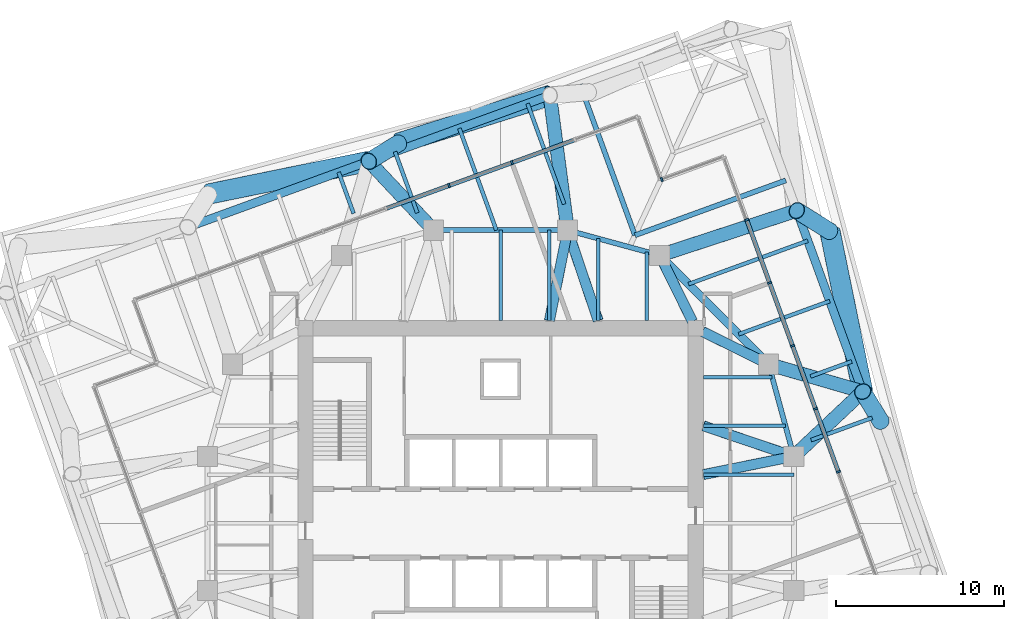
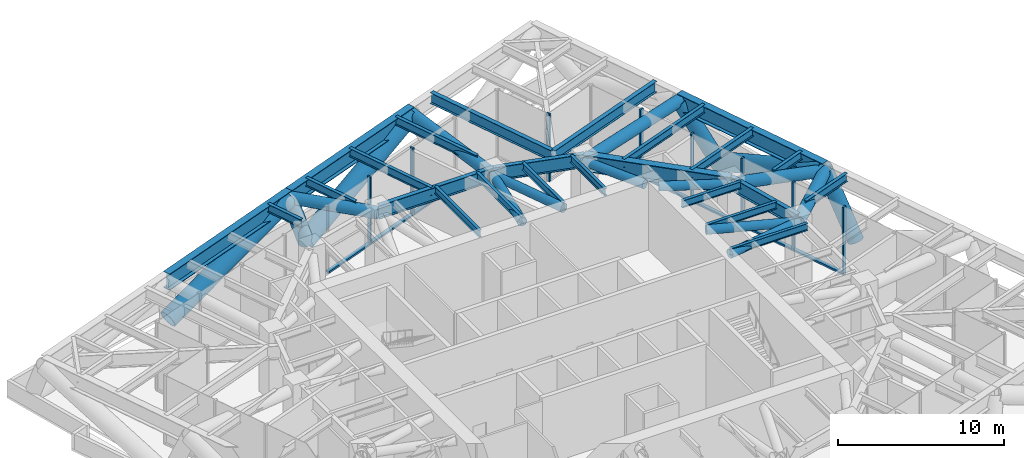
# One storey, part 5 of 12: 32 members, 24 beams, 3 elements without a shape of their own.
"""IFC4 building model written with IfcOpenShell, lengths in metres."""

from ifc_helpers import new_model, si_unit, direction, frame, origin, origin_2d, place, context, subcontext, project, spatial, rectangle, hollow_circle, i_section, extrude, material, material_profile, profile_set, type_object, element, aggregate, save


model = new_model("IFC4")

# Units and contexts
model_context = context("Model", 3, precision=1e-05, world=origin(), true_north=direction((0.0, 1.0)))
body_context = subcontext(model_context, "Body", "Model", "MODEL_VIEW")
ifc_project = project(units=[si_unit("LENGTHUNIT", "METRE"), si_unit("AREAUNIT", "SQUARE_METRE"), si_unit("VOLUMEUNIT", "CUBIC_METRE"), si_unit("PLANEANGLEUNIT", "RADIAN"), si_unit("MASSUNIT", "GRAM", prefix="KILO")], contexts=[model_context])

# Site, building, storey
site_placement = place(None, origin())
site = spatial("IfcSite", under=ifc_project, at=site_placement, CompositionType="ELEMENT")
building_placement = place(site_placement, origin())
building = spatial("IfcBuilding", under=site, at=building_placement, Name="Torsade Residences", CompositionType="ELEMENT")
storey_placement = place(building_placement, frame((0.0, 0.0, 138.800048828125)))
storey = spatial("IfcBuildingStorey", under=building, at=storey_placement, Name="L38", CompositionType="ELEMENT", Elevation=138.800048828125)

# Beams
ifc_material_1 = material(Name="Steel grade 300", Category="steel")
ifc_material_profile_1 = material_profile(ifc_material_1, i_section(OverallWidth=0.208984375, OverallDepth=0.528076171875, WebThickness=0.009521484375, FlangeThickness=0.01318359375, FilletRadius=0.013916015625, at=origin_2d()), Name="530UB82.0")
ifc_profile_set_1 = profile_set([ifc_material_profile_1], Name="Steel grade 300")
beam_type_1 = type_object("IfcBeamType", Name="INNER FLOOR BEAM 530UB82.0", PredefinedType="JOIST", material=ifc_profile_set_1)
for number, where, z_axis, x_axis, name in (
    (1, (40.0, 42.10009765625, 4.5859375), (0.0, 1.0, 0.0), (-1.0, 0.0, 0.0), "Inner floor beam IN04 L39"),
    (2, (42.91259765625, 42.10009765625, 4.5859375), (0.0, 1.0, 0.0), (-1.0, 0.0, 0.0), "Inner floor beam IN05 L39"),
):
    element("IfcBeam", number, at=place(storey_placement, frame(where, z_axis=z_axis, x_axis=x_axis)), inside=storey, type_object=beam_type_1, Name=name, PredefinedType="JOIST", context=body_context, shape_type="SweptSolid", body=[
        extrude(i_section(OverallWidth=0.208984375, OverallDepth=0.528076171875, WebThickness=0.009521484375, FlangeThickness=0.01318359375, FilletRadius=0.013916015625, at=origin_2d()), origin(), (0.0, 0.0, 1.0), 5.39990234375),
    ])
beam_1_placement = place(storey_placement, frame((45.824951171875, 42.10009765625, 4.5859375), z_axis=(0.0, 1.0, 0.0), x_axis=(-1.0, 0.0, 0.0)))
element("IfcBeam", 3, at=beam_1_placement, inside=storey, type_object=beam_type_1, Name="Inner floor beam IN06 L39", PredefinedType="JOIST", context=body_context, shape_type="SweptSolid", body=[
    extrude(i_section(OverallWidth=0.208984375, OverallDepth=0.528076171875, WebThickness=0.009521484375, FlangeThickness=0.01318359375, FilletRadius=0.013916015625, at=origin_2d()), origin(), (0.0, 0.0, 1.0), 4.902099609375),
])
beam_2_placement = place(storey_placement, frame((48.737548828125, 42.10009765625, 4.5859375), z_axis=(0.0, 1.0, 0.0), x_axis=(-1.0, 0.0, 0.0)))
element("IfcBeam", 4, at=beam_2_placement, inside=storey, type_object=beam_type_1, Name="Inner floor beam IN07 L39", PredefinedType="JOIST", context=body_context, shape_type="SweptSolid", body=[
    extrude(i_section(OverallWidth=0.208984375, OverallDepth=0.528076171875, WebThickness=0.009521484375, FlangeThickness=0.01318359375, FilletRadius=0.013916015625, at=origin_2d()), origin(), (0.0, 0.0, 1.0), 4.10791015625),
])
beam_3_placement = place(storey_placement, frame((52.10009765625, 32.91259765625, 4.5859375), z_axis=(1.0, 0.0, 0.0), x_axis=(0.0, 1.0, 0.0)))
element("IfcBeam", 5, at=beam_3_placement, inside=storey, type_object=beam_type_1, Name="Inner floor beam IE05 L39", PredefinedType="JOIST", context=body_context, shape_type="SweptSolid", body=[
    extrude(i_section(OverallWidth=0.208984375, OverallDepth=0.528076171875, WebThickness=0.009521484375, FlangeThickness=0.01318359375, FilletRadius=0.013916015625, at=origin_2d()), origin(), (0.0, 0.0, 1.0), 5.39990234375),
])
beam_4_placement = place(storey_placement, frame((52.10009765625, 35.824951171875, 4.5859375), z_axis=(1.0, 0.0, 0.0), x_axis=(0.0, 1.0, 0.0)))
element("IfcBeam", 6, at=beam_4_placement, inside=storey, type_object=beam_type_1, Name="Inner floor beam IE06 L39", PredefinedType="JOIST", context=body_context, shape_type="SweptSolid", body=[
    extrude(i_section(OverallWidth=0.208984375, OverallDepth=0.528076171875, WebThickness=0.009521484375, FlangeThickness=0.01318359375, FilletRadius=0.013916015625, at=origin_2d()), origin(), (0.0, 0.0, 1.0), 4.902099609375),
])
beam_5_placement = place(storey_placement, frame((52.10009765625, 38.737548828125, 4.5859375), z_axis=(1.0, 0.0, 0.0), x_axis=(0.0, 1.0, 0.0)))
element("IfcBeam", 7, at=beam_5_placement, inside=storey, type_object=beam_type_1, Name="Inner floor beam IE07 L39", PredefinedType="JOIST", context=body_context, shape_type="SweptSolid", body=[
    extrude(i_section(OverallWidth=0.208984375, OverallDepth=0.528076171875, WebThickness=0.009521484375, FlangeThickness=0.01318359375, FilletRadius=0.013916015625, at=origin_2d()), origin(), (0.0, 0.0, 1.0), 4.10791015625),
])
ifc_material_2 = material(Name="Steel grade 300", Category="steel")
ifc_material_profile_2 = material_profile(ifc_material_2, i_section(OverallWidth=0.5, OverallDepth=1.199951171875, WebThickness=0.01611328125, FlangeThickness=0.0400390625, at=origin_2d()), Name="1200WB455")
ifc_profile_set_2 = profile_set([ifc_material_profile_2], Name="Steel grade 300")
beam_type_2 = type_object("IfcBeamType", Name="RING CORNER GIRDER 1200WB455", PredefinedType="BEAM", material=ifc_profile_set_2)
beam_6_placement = place(storey_placement, frame((56.0, 39.5, 4.25), z_axis=(-0.707106781187, 0.707106781187, 0.0), x_axis=(-0.707106781187, -0.707106781187, 0.0)))
element("IfcBeam", 8, at=beam_6_placement, inside=storey, type_object=beam_type_2, Name="Ring girder IR03 L39", PredefinedType="BEAM", context=body_context, shape_type="SweptSolid", body=[
    extrude(i_section(OverallWidth=0.5, OverallDepth=1.199951171875, WebThickness=0.01611328125, FlangeThickness=0.0400390625, at=origin_2d()), origin(), (0.0, 0.0, 1.0), 9.1923828125),
])
ifc_material_3 = material(Name="Steel grade 300", Category="steel")
ifc_material_profile_3 = material_profile(ifc_material_3, i_section(OverallWidth=0.300048828125, OverallDepth=1.0, WebThickness=0.01611328125, FlangeThickness=0.028076171875, at=origin_2d()), Name="1000WB215")
ifc_profile_set_3 = profile_set([ifc_material_profile_3], Name="Steel grade 300")
beam_type_3 = type_object("IfcBeamType", Name="RING GIRDER 1000WB215", PredefinedType="BEAM", material=ifc_profile_set_3)
for number, where, z_axis, x_axis, name in (
    (9, (57.5, 34.0, 4.349853515625), (-0.263117405792, 0.964763821238, 0.0), (-0.964763821238, -0.263117405792, 0.0), "Ring girder IR02 L39"),
    (10, (49.5, 46.0, 4.349853515625), (-0.964763821238, 0.263117405792, 0.0), (-0.263117405792, -0.964763821238, 0.0), "Ring girder IR04 L39"),
):
    element("IfcBeam", number, at=place(storey_placement, frame(where, z_axis=z_axis, x_axis=x_axis)), inside=storey, type_object=beam_type_3, Name=name, PredefinedType="BEAM", context=body_context, shape_type="SweptSolid", body=[
        extrude(i_section(OverallWidth=0.300048828125, OverallDepth=1.0, WebThickness=0.01611328125, FlangeThickness=0.028076171875, at=origin_2d()), origin(), (0.0, 0.0, 1.0), 5.700927734375),
    ])
beam_7_placement = place(storey_placement, frame((44.0, 47.5, 4.349853515625), z_axis=(-1.0, 0.0, 0.0), x_axis=(0.0, -1.0, 0.0)))
element("IfcBeam", 11, at=beam_7_placement, inside=storey, type_object=beam_type_3, Name="Ring girder IR05 L39", PredefinedType="BEAM", context=body_context, shape_type="SweptSolid", body=[
    extrude(i_section(OverallWidth=0.300048828125, OverallDepth=1.0, WebThickness=0.01611328125, FlangeThickness=0.028076171875, at=origin_2d()), origin(), (0.0, 0.0, 1.0), 8.0),
])
ifc_material_4 = material(Name="Steel grade 300", Category="steel")
ifc_material_profile_4 = material_profile(ifc_material_4, i_section(OverallWidth=0.22900390625, OverallDepth=0.612060546875, WebThickness=0.011962890625, FlangeThickness=0.01953125, FilletRadius=0.013916015625, at=origin_2d()), Name="610UB125")
ifc_profile_set_4 = profile_set([ifc_material_profile_4], Name="Steel grade 300")
beam_type_4 = type_object("IfcBeamType", Name="SECONDARY BEAM 610UB125", PredefinedType="JOIST", material=ifc_profile_set_4)
beam_8_placement = place(storey_placement, frame((62.182861328125, 36.30029296875, 4.5439453125), z_axis=(-0.939703434875, -0.341990430397, 0.0), x_axis=(0.341990430397, -0.939703434875, 0.0)))
element("IfcBeam", 12, at=beam_8_placement, inside=storey, type_object=beam_type_4, Name="Floor beam FE06 L39", PredefinedType="JOIST", context=body_context, shape_type="SweptSolid", body=[
    extrude(i_section(OverallWidth=0.22900390625, OverallDepth=0.612060546875, WebThickness=0.011962890625, FlangeThickness=0.01953125, FilletRadius=0.013916015625, at=origin_2d()), origin(), (0.0, 0.0, 1.0), 3.8828125),
])
beam_9_placement = place(storey_placement, frame((60.957275390625, 39.66748046875, 4.5439453125), z_axis=(-0.93968711043, -0.342035282523, 0.0), x_axis=(0.342035282523, -0.93968711043, 0.0)))
element("IfcBeam", 13, at=beam_9_placement, inside=storey, type_object=beam_type_4, Name="Floor beam FE07 L39", PredefinedType="JOIST", context=body_context, shape_type="SweptSolid", body=[
    extrude(i_section(OverallWidth=0.22900390625, OverallDepth=0.612060546875, WebThickness=0.011962890625, FlangeThickness=0.01953125, FilletRadius=0.013916015625, at=origin_2d()), origin(), (0.0, 0.0, 1.0), 2.615966796875),
])
beam_10_placement = place(storey_placement, frame((59.646240234375, 43.269775390625, 4.5439453125), z_axis=(-0.939687428295, -0.342034409239, 0.0), x_axis=(0.342034409239, -0.939687428295, 0.0)))
element("IfcBeam", 14, at=beam_10_placement, inside=storey, type_object=beam_type_4, Name="Floor beam FE08 L39", PredefinedType="JOIST", context=body_context, shape_type="SweptSolid", body=[
    extrude(i_section(OverallWidth=0.22900390625, OverallDepth=0.612060546875, WebThickness=0.011962890625, FlangeThickness=0.01953125, FilletRadius=0.013916015625, at=origin_2d()), origin(), (0.0, 0.0, 1.0), 5.785888671875),
])
beam_11_placement = place(storey_placement, frame((58.335205078125, 46.871826171875, 4.5439453125), z_axis=(-0.939689847531, -0.342027762686, 0.0), x_axis=(0.342027762686, -0.939689847531, 0.0)))
element("IfcBeam", 15, at=beam_11_placement, inside=storey, type_object=beam_type_4, Name="Floor beam FE09 L39", PredefinedType="JOIST", context=body_context, shape_type="SweptSolid", body=[
    extrude(i_section(OverallWidth=0.22900390625, OverallDepth=0.612060546875, WebThickness=0.011962890625, FlangeThickness=0.01953125, FilletRadius=0.013916015625, at=origin_2d()), origin(), (0.0, 0.0, 1.0), 7.573486328125),
])
beam_12_placement = place(storey_placement, frame((41.60888671875, 55.0615234375, 4.5439453125), z_axis=(0.342003699059, -0.939698605846, 0.0), x_axis=(0.939698605846, 0.342003699059, 0.0)))
element("IfcBeam", 16, at=beam_12_placement, inside=storey, type_object=beam_type_4, Name="Floor beam FN04 L39", PredefinedType="JOIST", context=body_context, shape_type="SweptSolid", body=[
    extrude(i_section(OverallWidth=0.22900390625, OverallDepth=0.612060546875, WebThickness=0.011962890625, FlangeThickness=0.01953125, FilletRadius=0.013916015625, at=origin_2d()), origin(), (0.0, 0.0, 1.0), 6.392578125),
])
beam_13_placement = place(storey_placement, frame((37.536865234375, 53.57958984375, 4.5439453125), z_axis=(0.342000590983, -0.939699737026, 0.0), x_axis=(0.939699737026, 0.342000590983, 0.0)))
element("IfcBeam", 17, at=beam_13_placement, inside=storey, type_object=beam_type_4, Name="Floor beam FN05 L39", PredefinedType="JOIST", context=body_context, shape_type="SweptSolid", body=[
    extrude(i_section(OverallWidth=0.22900390625, OverallDepth=0.612060546875, WebThickness=0.011962890625, FlangeThickness=0.01953125, FilletRadius=0.013916015625, at=origin_2d()), origin(), (0.0, 0.0, 1.0), 6.4697265625),
])
beam_14_placement = place(storey_placement, frame((33.69970703125, 52.182861328125, 4.5439453125), z_axis=(0.341990430397, -0.939703434875, 0.0), x_axis=(0.939703434875, 0.341990430397, 0.0)))
element("IfcBeam", 18, at=beam_14_placement, inside=storey, type_object=beam_type_4, Name="Floor beam FN06 L39", PredefinedType="JOIST", context=body_context, shape_type="SweptSolid", body=[
    extrude(i_section(OverallWidth=0.22900390625, OverallDepth=0.612060546875, WebThickness=0.011962890625, FlangeThickness=0.01953125, FilletRadius=0.013916015625, at=origin_2d()), origin(), (0.0, 0.0, 1.0), 3.8828125),
])
beam_15_placement = place(storey_placement, frame((30.33251953125, 50.957275390625, 4.5439453125), z_axis=(0.342035282523, -0.93968711043, 0.0), x_axis=(0.93968711043, 0.342035282523, 0.0)))
element("IfcBeam", 19, at=beam_15_placement, inside=storey, type_object=beam_type_4, Name="Floor beam FN07 L39", PredefinedType="JOIST", context=body_context, shape_type="SweptSolid", body=[
    extrude(i_section(OverallWidth=0.22900390625, OverallDepth=0.612060546875, WebThickness=0.011962890625, FlangeThickness=0.01953125, FilletRadius=0.013916015625, at=origin_2d()), origin(), (0.0, 0.0, 1.0), 2.615966796875),
])
ifc_material_5 = material(Name="Steel grade 300", Category="steel")
ifc_material_profile_5 = material_profile(ifc_material_5, i_section(OverallWidth=0.300048828125, OverallDepth=0.800048828125, WebThickness=0.010009765625, FlangeThickness=0.02001953125, at=origin_2d()), Name="800WB146")
ifc_profile_set_5 = profile_set([ifc_material_profile_5], Name="Steel grade 300")
beam_type_5 = type_object("IfcBeamType", Name="SECONDARY BEAM 800WB146", PredefinedType="JOIST", material=ifc_profile_set_5)
for number, where, z_axis, x_axis, name in (
    (20, (57.024169921875, 50.47412109375, 4.449951171875), (-0.939687757725, -0.342033504181, 0.0), (0.342033504181, -0.939687757725, 0.0), "Floor beam FE10 L39"),
    (21, (44.740966796875, 56.20166015625, 4.449951171875), (0.342033504181, -0.939687757725, 0.0), (0.939687757725, 0.342033504181, 0.0), "Floor beam FN03 L39"),
):
    element("IfcBeam", number, at=place(storey_placement, frame(where, z_axis=z_axis, x_axis=x_axis)), inside=storey, type_object=beam_type_5, Name=name, PredefinedType="JOIST", context=body_context, shape_type="SweptSolid", body=[
        extrude(i_section(OverallWidth=0.300048828125, OverallDepth=0.800048828125, WebThickness=0.010009765625, FlangeThickness=0.02001953125, at=origin_2d()), origin(), (0.0, 0.0, 1.0), 9.583251953125),
    ])

# Curtain wall, members
ifc_material_6 = material(Name="Aluminium and glass", Category="aluminium")
curtain_wall_type = type_object("IfcCurtainWallType", Name="SKY LOUNGE CURTAIN WALL", PredefinedType="NOTDEFINED", material=ifc_material_6)
curtain_wall_1_placement = place(storey_placement, origin())
curtain_wall_1 = element("IfcCurtainWall", 22, at=curtain_wall_1_placement, inside=storey, type_object=curtain_wall_type, Name="Curtain wall L38 face 4", PredefinedType="NOTDEFINED")
ifc_material_7 = material(Name="Aluminium mullion", Category="aluminium")
ifc_material_profile_6 = material_profile(ifc_material_7, rectangle(XDim=0.25, YDim=0.1201171875, at=origin_2d()), Name="SKY LOUNGE CURTAIN WALL MULLION 250x120")
ifc_profile_set_6 = profile_set([ifc_material_profile_6], Name="Aluminium mullion")
member_type_1 = type_object("IfcMemberType", Name="SKY LOUNGE CURTAIN WALL MULLION 250x120", PredefinedType="MULLION", material=ifc_profile_set_6)
member_1_placement = place(storey_placement, frame((60.161865234375, 33.08154296875, 0.0), z_axis=(0.0, 0.0, 1.0), x_axis=(-0.939692617127, -0.342020153379, 0.0)))
member_1 = element("IfcMember", 23, at=member_1_placement, type_object=member_type_1, Name="Mullion 4", PredefinedType="MULLION", context=body_context, shape_type="SweptSolid", body=[
    extrude(rectangle(XDim=0.25, YDim=0.1201171875, at=origin_2d()), origin(), (0.0, 0.0, 1.0), 5.0),
])
member_2_placement = place(storey_placement, frame((58.7939453125, 36.84033203125, 0.0), z_axis=(0.0, 0.0, 1.0), x_axis=(-0.939692617127, -0.342020153379, 0.0)))
member_2 = element("IfcMember", 24, at=member_2_placement, type_object=member_type_1, Name="Mullion 5", PredefinedType="MULLION", context=body_context, shape_type="SweptSolid", body=[
    extrude(rectangle(XDim=0.25, YDim=0.1201171875, at=origin_2d()), origin(), (0.0, 0.0, 1.0), 5.0),
])
member_3_placement = place(storey_placement, frame((57.42578125, 40.59912109375, 0.0), z_axis=(0.0, 0.0, 1.0), x_axis=(-0.939692617127, -0.342020153379, 0.0)))
member_3 = element("IfcMember", 25, at=member_3_placement, type_object=member_type_1, Name="Mullion 6", PredefinedType="MULLION", context=body_context, shape_type="SweptSolid", body=[
    extrude(rectangle(XDim=0.25, YDim=0.1201171875, at=origin_2d()), origin(), (0.0, 0.0, 1.0), 5.0),
])
member_4_placement = place(storey_placement, frame((56.0576171875, 44.35791015625, 0.0), z_axis=(0.0, 0.0, 1.0), x_axis=(-0.939692617127, -0.342020153379, 0.0)))
member_4 = element("IfcMember", 26, at=member_4_placement, type_object=member_type_1, Name="Mullion 7", PredefinedType="MULLION", context=body_context, shape_type="SweptSolid", body=[
    extrude(rectangle(XDim=0.25, YDim=0.1201171875, at=origin_2d()), origin(), (0.0, 0.0, 1.0), 5.0),
])
member_5_placement = place(storey_placement, frame((54.689697265625, 48.11669921875, 0.0), z_axis=(0.0, 0.0, 1.0), x_axis=(-0.939692617127, -0.342020153379, 0.0)))
member_5 = element("IfcMember", 27, at=member_5_placement, type_object=member_type_1, Name="Mullion 8", PredefinedType="MULLION", context=body_context, shape_type="SweptSolid", body=[
    extrude(rectangle(XDim=0.25, YDim=0.1201171875, at=origin_2d()), origin(), (0.0, 0.0, 1.0), 5.0),
])

# Curtain wall, member
curtain_wall_2_placement = place(storey_placement, origin())
curtain_wall_2 = element("IfcCurtainWall", 28, at=curtain_wall_2_placement, inside=storey, type_object=curtain_wall_type, Name="Curtain wall L38 face 5", PredefinedType="NOTDEFINED")
member_6_placement = place(storey_placement, frame((49.619140625, 50.52783203125, 0.0), z_axis=(0.0, 0.0, 1.0), x_axis=(0.342020276336, -0.939692572374, 0.0)))
member_6 = element("IfcMember", 29, at=member_6_placement, type_object=member_type_1, Name="Mullion 2", PredefinedType="MULLION", context=body_context, shape_type="SweptSolid", body=[
    extrude(rectangle(XDim=0.25, YDim=0.1201171875, at=origin_2d()), origin(), (0.0, 0.0, 1.0), 5.0),
])
aggregate(curtain_wall_2, [member_6])

# Curtain wall, members
curtain_wall_3_placement = place(storey_placement, origin())
curtain_wall_3 = element("IfcCurtainWall", 30, at=curtain_wall_3_placement, inside=storey, type_object=curtain_wall_type, Name="Curtain wall L38 face 7", PredefinedType="NOTDEFINED")
member_7_placement = place(storey_placement, frame((40.67724609375, 51.530029296875, 0.0), z_axis=(0.0, 0.0, 1.0), x_axis=(0.342020153379, -0.939692617127, 0.0)))
member_7 = element("IfcMember", 31, at=member_7_placement, type_object=member_type_1, Name="Mullion 3", PredefinedType="MULLION", context=body_context, shape_type="SweptSolid", body=[
    extrude(rectangle(XDim=0.25, YDim=0.1201171875, at=origin_2d()), origin(), (0.0, 0.0, 1.0), 5.0),
])
member_8_placement = place(storey_placement, frame((36.91845703125, 50.161865234375, 0.0), z_axis=(0.0, 0.0, 1.0), x_axis=(0.342020153379, -0.939692617127, 0.0)))
member_8 = element("IfcMember", 32, at=member_8_placement, type_object=member_type_1, Name="Mullion 4", PredefinedType="MULLION", context=body_context, shape_type="SweptSolid", body=[
    extrude(rectangle(XDim=0.25, YDim=0.1201171875, at=origin_2d()), origin(), (0.0, 0.0, 1.0), 5.0),
])

# Member
ifc_material_8 = material(Name="Aluminium transom", Category="aluminium")
ifc_material_profile_7 = material_profile(ifc_material_8, rectangle(XDim=0.25, YDim=0.1298828125, at=origin_2d()), Name="SKY LOUNGE CURTAIN WALL TRANSOM 250x130")
ifc_profile_set_7 = profile_set([ifc_material_profile_7], Name="Aluminium transom")
member_type_2 = type_object("IfcMemberType", Name="SKY LOUNGE CURTAIN WALL TRANSOM 250x130", PredefinedType="USERDEFINED", material=ifc_profile_set_7)
member_9_placement = place(storey_placement, frame((60.141357421875, 33.137939453125, 0.06494140625), z_axis=(-0.341990612575, 0.939703368574, 0.0), x_axis=(-0.939703368574, -0.341990612575, 0.0)))
member_9 = element("IfcMember", 33, at=member_9_placement, type_object=member_type_2, Name="Transom 4.1", ObjectType="TRANSOM", PredefinedType="USERDEFINED", context=body_context, shape_type="SweptSolid", body=[
    extrude(rectangle(XDim=0.25, YDim=0.1298828125, at=origin_2d()), origin(), (0.0, 0.0, 1.0), 3.8798828125),
])

member_10_placement = place(storey_placement, frame((58.7734375, 36.896728515625, 0.06494140625), z_axis=(-0.342046175128, 0.939683145577, 0.0), x_axis=(-0.939683145577, -0.342046175128, 0.0)))
member_10 = element("IfcMember", 34, at=member_10_placement, type_object=member_type_2, Name="Transom 5.1", ObjectType="TRANSOM", PredefinedType="USERDEFINED", context=body_context, shape_type="SweptSolid", body=[
    extrude(rectangle(XDim=0.25, YDim=0.1298828125, at=origin_2d()), origin(), (0.0, 0.0, 1.0), 3.880126953125),
])

member_11_placement = place(storey_placement, frame((57.4052734375, 40.655517578125, 0.06494140625), z_axis=(-0.342046175128, 0.939683145577, 0.0), x_axis=(-0.939683145577, -0.342046175128, 0.0)))
member_11 = element("IfcMember", 35, at=member_11_placement, type_object=member_type_2, Name="Transom 6.1", ObjectType="TRANSOM", PredefinedType="USERDEFINED", context=body_context, shape_type="SweptSolid", body=[
    extrude(rectangle(XDim=0.25, YDim=0.1298828125, at=origin_2d()), origin(), (0.0, 0.0, 1.0), 3.880126953125),
])

member_12_placement = place(storey_placement, frame((56.037109375, 44.414306640625, 0.06494140625), z_axis=(-0.341990612575, 0.939703368574, 0.0), x_axis=(-0.939703368574, -0.341990612575, 0.0)))
member_12 = element("IfcMember", 36, at=member_12_placement, type_object=member_type_2, Name="Transom 7.1", ObjectType="TRANSOM", PredefinedType="USERDEFINED", context=body_context, shape_type="SweptSolid", body=[
    extrude(rectangle(XDim=0.25, YDim=0.1298828125, at=origin_2d()), origin(), (0.0, 0.0, 1.0), 3.8798828125),
])

aggregate(curtain_wall_1, [member_1, member_2, member_3, member_4, member_5, member_9, member_10, member_11, member_12])

member_13_placement = place(storey_placement, frame((44.379638671875, 52.877685546875, 0.06494140625), z_axis=(-0.939690506567, -0.342025952039, 0.0), x_axis=(0.342025952039, -0.939690506567, 0.0)))
member_13 = element("IfcMember", 37, at=member_13_placement, type_object=member_type_2, Name="Transom 2.1", ObjectType="TRANSOM", PredefinedType="USERDEFINED", context=body_context, shape_type="SweptSolid", body=[
    extrude(rectangle(XDim=0.25, YDim=0.1298828125, at=origin_2d()), origin(), (0.0, 0.0, 1.0), 3.88037109375),
])

member_14_placement = place(storey_placement, frame((40.620849609375, 51.509521484375, 0.06494140625), z_axis=(-0.939683145577, -0.342046175128, 0.0), x_axis=(0.342046175128, -0.939683145577, 0.0)))
member_14 = element("IfcMember", 38, at=member_14_placement, type_object=member_type_2, Name="Transom 3.1", ObjectType="TRANSOM", PredefinedType="USERDEFINED", context=body_context, shape_type="SweptSolid", body=[
    extrude(rectangle(XDim=0.25, YDim=0.1298828125, at=origin_2d()), origin(), (0.0, 0.0, 1.0), 3.880126953125),
])

member_15_placement = place(storey_placement, frame((36.862060546875, 50.141357421875, 0.06494140625), z_axis=(-0.939703368574, -0.341990612575, 0.0), x_axis=(0.341990612575, -0.939703368574, 0.0)))
member_15 = element("IfcMember", 39, at=member_15_placement, type_object=member_type_2, Name="Transom 4.1", ObjectType="TRANSOM", PredefinedType="USERDEFINED", context=body_context, shape_type="SweptSolid", body=[
    extrude(rectangle(XDim=0.25, YDim=0.1298828125, at=origin_2d()), origin(), (0.0, 0.0, 1.0), 3.8798828125),
])

aggregate(curtain_wall_3, [member_7, member_8, member_13, member_14, member_15])

# Members
ifc_material_9 = material(Name="Steel grade 450", Category="steel")
ifc_material_profile_8 = material_profile(ifc_material_9, hollow_circle(Radius=0.304931640625, WallThickness=0.01611328125, at=origin_2d()), Name="610.0x16.0CHS")
ifc_profile_set_8 = profile_set([ifc_material_profile_8], Name="Steel grade 450")
member_type_3 = type_object("IfcMemberType", Name="TRANSFER FLOOR BRACE 610.0x16.0CHS", PredefinedType="BRACE", material=ifc_profile_set_8)
member_16_placement = place(storey_placement, frame((57.5, 34.0, 4.25), z_axis=(-0.97976207845, -0.197299045909, 0.03375434957), x_axis=(0.197411538983, -0.980320704809, 0.0)))
element("IfcMember", 40, at=member_16_placement, inside=storey, type_object=member_type_3, Name="Transfer floor brace TT4 top IR02IE05", PredefinedType="BRACE", context=body_context, shape_type="SweptSolid", body=[
    extrude(hollow_circle(Radius=0.304931640625, WallThickness=0.01611328125, at=origin_2d()), origin(), (0.0, 0.0, 1.0), 5.511474609375),
])
member_17_placement = place(storey_placement, frame((57.5, 34.0, 4.25), z_axis=(-0.946855969774, 0.319999474368, 0.032620682203), x_axis=(-0.320169867513, -0.947360151124, 0.0)))
element("IfcMember", 41, at=member_17_placement, inside=storey, type_object=member_type_3, Name="Transfer floor brace TT4 top IR02IE06", PredefinedType="BRACE", context=body_context, shape_type="SweptSolid", body=[
    extrude(hollow_circle(Radius=0.304931640625, WallThickness=0.01611328125, at=origin_2d()), origin(), (0.0, 0.0, 1.0), 5.702880859375),
])
for number, where, z_axis, x_axis, name in (
    (42, (56.0, 39.5, 4.25), (-0.896469701914, 0.443105036702, 0.0), (-0.443105036702, -0.896469701914, 0.0), "Transfer floor brace TT4 top IR03C"),
    (43, (49.5, 46.0, 4.25), (0.443105036702, -0.896469701914, 0.0), (0.896469701914, 0.443105036702, 0.0), "Transfer floor brace TT4 top IR04C"),
):
    element("IfcMember", number, at=place(storey_placement, frame(where, z_axis=z_axis, x_axis=x_axis)), inside=storey, type_object=member_type_3, Name=name, PredefinedType="BRACE", context=body_context, shape_type="SweptSolid", body=[
        extrude(hollow_circle(Radius=0.304931640625, WallThickness=0.01611328125, at=origin_2d()), origin(), (0.0, 0.0, 1.0), 4.40234375),
    ])
member_18_placement = place(storey_placement, frame((44.0, 47.5, 4.25), z_axis=(-0.197299045909, -0.97976207845, 0.03375434957), x_axis=(0.980320704809, -0.197411538983, 0.0)))
element("IfcMember", 44, at=member_18_placement, inside=storey, type_object=member_type_3, Name="Transfer floor brace TT4 top IR05IN05", PredefinedType="BRACE", context=body_context, shape_type="SweptSolid", body=[
    extrude(hollow_circle(Radius=0.304931640625, WallThickness=0.01611328125, at=origin_2d()), origin(), (0.0, 0.0, 1.0), 5.511474609375),
])
member_19_placement = place(storey_placement, frame((44.0, 47.5, 4.25), z_axis=(0.319999474368, -0.946855969774, 0.032620682203), x_axis=(0.947360151124, 0.320169867513, 0.0)))
element("IfcMember", 45, at=member_19_placement, inside=storey, type_object=member_type_3, Name="Transfer floor brace TT4 top IR05IN06", PredefinedType="BRACE", context=body_context, shape_type="SweptSolid", body=[
    extrude(hollow_circle(Radius=0.304931640625, WallThickness=0.01611328125, at=origin_2d()), origin(), (0.0, 0.0, 1.0), 5.702880859375),
])
ifc_material_10 = material(Name="Steel grade 450", Category="steel")
ifc_material_profile_9 = material_profile(ifc_material_10, hollow_circle(Radius=0.406494140625, WallThickness=0.02490234375, at=origin_2d()), Name="813.0x25.0CHS")
ifc_profile_set_9 = profile_set([ifc_material_profile_9], Name="Steel grade 450")
member_type_4 = type_object("IfcMemberType", Name="TRANSFER FLOOR STRUT 813.0x25.0CHS", PredefinedType="STRUT", material=ifc_profile_set_9)
member_20_placement = place(storey_placement, frame((61.613037109375, 37.866455078125, 4.25), z_axis=(-0.728609970603, -0.684928836258, 0.0), x_axis=(0.684928836258, -0.728609970603, 0.0)))
element("IfcMember", 46, at=member_20_placement, inside=storey, type_object=member_type_4, Name="Transfer floor strut TT4 top 07IR02", PredefinedType="STRUT", context=body_context, shape_type="SweptSolid", body=[
    extrude(hollow_circle(Radius=0.406494140625, WallThickness=0.02490234375, at=origin_2d()), origin(), (0.0, 0.0, 1.0), 5.64501953125),
])
member_21_placement = place(storey_placement, frame((61.613037109375, 37.866455078125, 4.25), z_axis=(-0.960164945877, 0.279433850327, 0.0), x_axis=(-0.279433850327, -0.960164945877, 0.0)))
element("IfcMember", 47, at=member_21_placement, inside=storey, type_object=member_type_4, Name="Transfer floor strut TT4 top 07IR03", PredefinedType="STRUT", context=body_context, shape_type="SweptSolid", body=[
    extrude(hollow_circle(Radius=0.406494140625, WallThickness=0.02490234375, at=origin_2d()), origin(), (0.0, 0.0, 1.0), 5.845947265625),
])
member_22_placement = place(storey_placement, frame((57.6796875, 48.6728515625, 4.25), z_axis=(-0.95053914703, -0.310604780972, 0.0), x_axis=(0.310604780972, -0.95053914703, 0.0)))
element("IfcMember", 48, at=member_22_placement, inside=storey, type_object=member_type_4, Name="Transfer floor strut TT4 top 08IR04", PredefinedType="STRUT", context=body_context, shape_type="SweptSolid", body=[
    extrude(hollow_circle(Radius=0.406494140625, WallThickness=0.02490234375, at=origin_2d()), origin(), (0.0, 0.0, 1.0), 8.605224609375),
])
member_23_placement = place(storey_placement, frame((42.93994140625, 55.546142578125, 4.25), z_axis=(0.130618705739, -0.991432677347, 0.0), x_axis=(0.991432677347, 0.130618705739, 0.0)))
element("IfcMember", 49, at=member_23_placement, inside=storey, type_object=member_type_4, Name="Transfer floor strut TT4 top 10IR05", PredefinedType="STRUT", context=body_context, shape_type="SweptSolid", body=[
    extrude(hollow_circle(Radius=0.406494140625, WallThickness=0.02490234375, at=origin_2d()), origin(), (0.0, 0.0, 1.0), 8.11572265625),
])
member_24_placement = place(storey_placement, frame((32.133544921875, 51.613037109375, 4.25), z_axis=(0.684928836258, -0.728609970603, 0.0), x_axis=(0.728609970603, 0.684928836258, 0.0)))
element("IfcMember", 50, at=member_24_placement, inside=storey, type_object=member_type_4, Name="Transfer floor strut TT4 top 11IR06", PredefinedType="STRUT", context=body_context, shape_type="SweptSolid", body=[
    extrude(hollow_circle(Radius=0.406494140625, WallThickness=0.02490234375, at=origin_2d()), origin(), (0.0, 0.0, 1.0), 5.64501953125),
])

# Beams
ifc_material_11 = material(Name="Steel grade 300", Category="steel")
ifc_material_profile_10 = material_profile(ifc_material_11, i_section(OverallWidth=0.5, OverallDepth=1.199951171875, WebThickness=0.01611328125, FlangeThickness=0.0400390625, at=origin_2d()), Name="1200WB455")
ifc_profile_set_10 = profile_set([ifc_material_profile_10], Name="Steel grade 300")
beam_type_6 = type_object("IfcBeamType", Name="TRANSFER TRUSS CHORD 1200WB455", PredefinedType="USERDEFINED", material=ifc_profile_set_10)
for number, where, z_axis, x_axis, name in (
    (51, (61.613037109375, 37.866455078125, 4.25), (-0.342031119628, 0.939688625666, 0.0), (-0.939688625666, -0.342031119628, 0.0), "Transfer truss TT4 top chord 07"),
    (52, (42.93994140625, 55.546142578125, 4.25), (-0.939695448801, -0.342012373318, 0.0), (0.342012373318, -0.939695448801, 0.0), "Transfer truss TT4 top chord 10"),
    (53, (32.133544921875, 51.613037109375, 4.25), (-0.939688625666, -0.342031119628, 0.0), (0.342031119628, -0.939688625666, 0.0), "Transfer truss TT4 top chord 11"),
):
    element("IfcBeam", number, at=place(storey_placement, frame(where, z_axis=z_axis, x_axis=x_axis)), inside=storey, type_object=beam_type_6, Name=name, ObjectType="TRANSFER TRUSS CHORD", PredefinedType="USERDEFINED", context=body_context, shape_type="SweptSolid", body=[
        extrude(i_section(OverallWidth=0.5, OverallDepth=1.199951171875, WebThickness=0.01611328125, FlangeThickness=0.0400390625, at=origin_2d()), origin(), (0.0, 0.0, 1.0), 11.5),
    ])

# Members
ifc_material_12 = material(Name="Steel grade 450", Category="steel")
ifc_material_profile_11 = material_profile(ifc_material_12, hollow_circle(Radius=0.609619140625, WallThickness=0.0400390625, at=origin_2d()), Name="1219.0x40.0CHS")
ifc_profile_set_11 = profile_set([ifc_material_profile_11], Name="Steel grade 450")
member_type_5 = type_object("IfcMemberType", Name="TRANSFER TRUSS DIAGONAL 1219.0x40.0CHS", PredefinedType="BRACE", material=ifc_profile_set_11)
member_25_placement = place(storey_placement, frame((59.658203125, 47.431884765625, -0.199951171875), z_axis=(0.182193474468, -0.891512467797, 0.414742158002), x_axis=(0.979749730537, 0.200226036049, 0.0)))
element("IfcMember", 54, at=member_25_placement, inside=storey, type_object=member_type_5, Name="Transfer truss TT4 diagonal 07", PredefinedType="BRACE", context=body_context, shape_type="SweptSolid", body=[
    extrude(hollow_circle(Radius=0.609619140625, WallThickness=0.0400390625, at=origin_2d()), origin(), (0.0, 0.0, 1.0), 10.7294921875),
])
member_26_placement = place(storey_placement, frame((33.917724609375, 52.69921875, -0.199951171875), z_axis=(0.862955505338, 0.272302101143, 0.425628196341), x_axis=(-0.300920169892, 0.953649333535, 0.0)))
element("IfcMember", 55, at=member_26_placement, inside=storey, type_object=member_type_5, Name="Transfer truss TT4 diagonal 10", PredefinedType="BRACE", context=body_context, shape_type="SweptSolid", body=[
    extrude(hollow_circle(Radius=0.609619140625, WallThickness=0.0400390625, at=origin_2d()), origin(), (0.0, 0.0, 1.0), 10.455078125),
])
member_27_placement = place(storey_placement, frame((22.568115234375, 49.658203125, -0.199951171875), z_axis=(0.891512467797, 0.182193474468, 0.414742158002), x_axis=(-0.200226036049, 0.979749730537, 0.0)))
element("IfcMember", 56, at=member_27_placement, inside=storey, type_object=member_type_5, Name="Transfer truss TT4 diagonal 11", PredefinedType="BRACE", context=body_context, shape_type="SweptSolid", body=[
    extrude(hollow_circle(Radius=0.609619140625, WallThickness=0.0400390625, at=origin_2d()), origin(), (0.0, 0.0, 1.0), 10.7294921875),
])
ifc_material_13 = material(Name="Steel grade 450", Category="steel")
ifc_material_profile_12 = material_profile(ifc_material_13, hollow_circle(Radius=0.508056640625, WallThickness=0.031982421875, at=origin_2d()), Name="1016.0x32.0CHS")
ifc_profile_set_12 = profile_set([ifc_material_profile_12], Name="Steel grade 450")
member_type_6 = type_object("IfcMemberType", Name="TRANSFER TRUSS RAKING STRUT 1016.0x32.0CHS", PredefinedType="STRUT", material=ifc_profile_set_12)
member_28_placement = place(storey_placement, frame((62.69921875, 36.082275390625, -0.199951171875), z_axis=(-0.220956957847, 0.362947504596, 0.905233191883), x_axis=(-0.854164698683, -0.520002564921, 0.0)))
element("IfcMember", 57, at=member_28_placement, inside=storey, type_object=member_type_6, Name="Transfer truss TT4 raking strut 07", PredefinedType="STRUT", context=body_context, shape_type="SweptSolid", body=[
    extrude(hollow_circle(Radius=0.508056640625, WallThickness=0.031982421875, at=origin_2d()), origin(), (0.0, 0.0, 1.0), 4.915771484375),
])
member_29_placement = place(storey_placement, frame((59.658203125, 47.431884765625, -0.199951171875), z_axis=(-0.393687969477, 0.24692941126, 0.885457875081), x_axis=(-0.531351347415, -0.84715154819, 0.0)))
element("IfcMember", 58, at=member_29_placement, inside=storey, type_object=member_type_6, Name="Transfer truss TT4 raking strut 08", PredefinedType="STRUT", context=body_context, shape_type="SweptSolid", body=[
    extrude(hollow_circle(Radius=0.508056640625, WallThickness=0.031982421875, at=origin_2d()), origin(), (0.0, 0.0, 1.0), 5.025634765625),
])
member_30_placement = place(storey_placement, frame((33.917724609375, 52.69921875, -0.199951171875), z_axis=(-0.362947504596, -0.220956957847, 0.905233191883), x_axis=(0.520002564921, -0.854164698683, 0.0)))
element("IfcMember", 59, at=member_30_placement, inside=storey, type_object=member_type_6, Name="Transfer truss TT4 raking strut 11", PredefinedType="STRUT", context=body_context, shape_type="SweptSolid", body=[
    extrude(hollow_circle(Radius=0.508056640625, WallThickness=0.031982421875, at=origin_2d()), origin(), (0.0, 0.0, 1.0), 4.915771484375),
])

save(model, "model.ifc")
